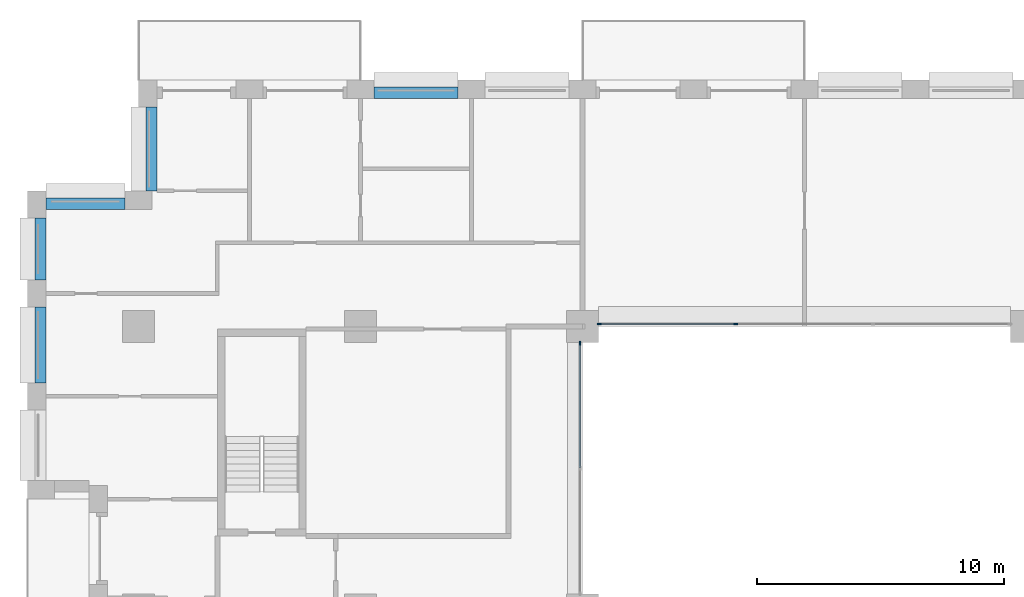
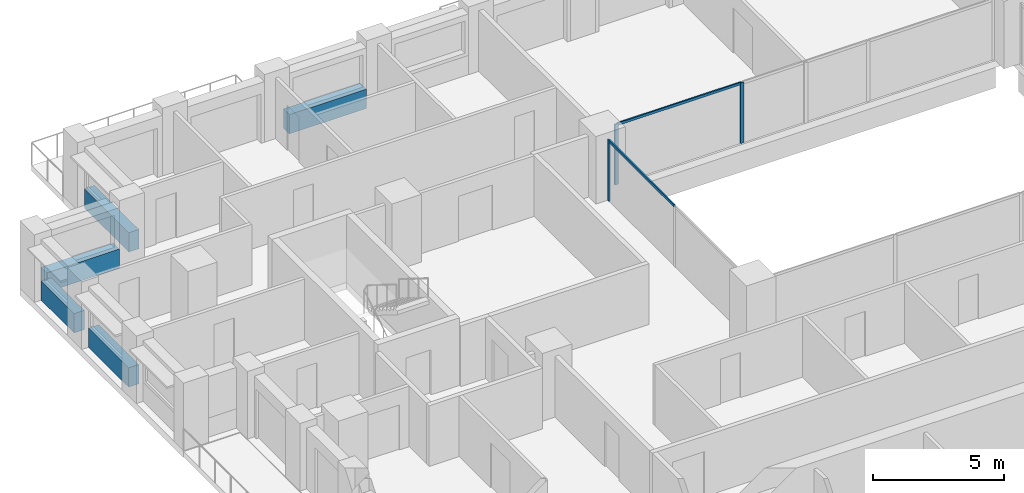
# One storey, part 5 of 16: 5 beams, 5 members, 2 elements without a shape of their own.
"""IFC4 building model written with IfcOpenShell, lengths in metres."""

from ifc_helpers import new_model, si_unit, direction, frame, origin, origin_2d, place, context, subcontext, project, spatial, rectangle, extrude, material, layer, layer_set, material_profile, profile_set, type_object, element, aggregate, save


model = new_model("IFC4")

# Units and contexts
model_context = context("Model", 3, precision=1e-05, world=origin(), true_north=direction((0.0, 1.0)))
body_context = subcontext(model_context, "Body", "Model", "MODEL_VIEW")
ifc_project = project(units=[si_unit("LENGTHUNIT", "METRE"), si_unit("AREAUNIT", "SQUARE_METRE"), si_unit("VOLUMEUNIT", "CUBIC_METRE"), si_unit("PLANEANGLEUNIT", "RADIAN"), si_unit("MASSUNIT", "GRAM", prefix="KILO")], contexts=[model_context])

# Site, building, storey
site_placement = place(None, origin())
site = spatial("IfcSite", under=ifc_project, at=site_placement, CompositionType="ELEMENT")
building_placement = place(site_placement, origin())
building = spatial("IfcBuilding", under=site, at=building_placement, Name="Brigalow Station Residences", CompositionType="ELEMENT")
storey_placement = place(building_placement, frame((0.0, 0.0, 86.699951171875)))
storey = spatial("IfcBuildingStorey", under=building, at=storey_placement, Name="L24", CompositionType="ELEMENT", Elevation=86.699951171875)

# Curtain wall, members
ifc_material_1 = material(Name="Aluminium", Category="aluminium")
ifc_layer = layer(ifc_material_1, 0.14990234375)
ifc_layer_set = layer_set([ifc_layer], Name="ATRIUM FIRE-RATED GLAZING CURTAIN WALL")
curtain_wall_type = type_object("IfcCurtainWallType", Name="ATRIUM FIRE-RATED GLAZING CURTAIN WALL", PredefinedType="NOTDEFINED", material=ifc_layer_set)
curtain_wall_1_placement = place(storey_placement, origin())
curtain_wall_1 = element("IfcCurtainWall", 1, at=curtain_wall_1_placement, inside=storey, type_object=curtain_wall_type, Name="L24/cw/atrium-N", PredefinedType="NOTDEFINED")
ifc_material_2 = material(Name="Aluminium", Category="aluminium")
ifc_material_profile_1 = material_profile(ifc_material_2, rectangle(XDim=0.06005859375, YDim=0.14990234375, at=origin_2d()), Name="ATRIUM FIRE-RATED GLAZING MULLION 60x150")
ifc_profile_set_1 = profile_set([ifc_material_profile_1], Name="Aluminium")
member_type_1 = type_object("IfcMemberType", Name="ATRIUM FIRE-RATED GLAZING MULLION 60x150", PredefinedType="MULLION", material=ifc_profile_set_1)
member_1_placement = place(storey_placement, frame((33.216796875, 35.60009765625, 0.0), z_axis=(0.0, 0.0, 1.0), x_axis=(0.0, -1.0, 0.0)))
member_1 = element("IfcMember", 2, at=member_1_placement, type_object=member_type_1, Name="L24/cw/atrium-N/M02", PredefinedType="MULLION", context=body_context, shape_type="SweptSolid", body=[
    extrude(rectangle(XDim=0.06005859375, YDim=0.14990234375, at=origin_2d()), origin(), (0.0, 0.0, 1.0), 2.830078125),
])
member_2_placement = place(storey_placement, frame((27.679931640625, 35.60009765625, 0.0), z_axis=(0.0, 0.0, 1.0), x_axis=(0.0, -1.0, 0.0)))
member_2 = element("IfcMember", 3, at=member_2_placement, type_object=member_type_1, Name="L24/cw/atrium-N/M03", PredefinedType="MULLION", context=body_context, shape_type="SweptSolid", body=[
    extrude(rectangle(XDim=0.06005859375, YDim=0.14990234375, at=origin_2d()), origin(), (0.0, 0.0, 1.0), 2.830078125),
])

# Curtain wall, member
curtain_wall_2_placement = place(storey_placement, origin())
curtain_wall_2 = element("IfcCurtainWall", 4, at=curtain_wall_2_placement, inside=storey, type_object=curtain_wall_type, Name="L24/cw/atrium-W", PredefinedType="NOTDEFINED")
member_3_placement = place(storey_placement, frame((26.89990234375, 34.820068359375, 0.0), z_axis=(0.0, 0.0, 1.0), x_axis=(1.0, 0.0, 0.0)))
member_3 = element("IfcMember", 5, at=member_3_placement, type_object=member_type_1, Name="L24/cw/atrium-W/M00", PredefinedType="MULLION", context=body_context, shape_type="SweptSolid", body=[
    extrude(rectangle(XDim=0.06005859375, YDim=0.14990234375, at=origin_2d()), origin(), (0.0, 0.0, 1.0), 2.830078125),
])

# Member
ifc_material_3 = material(Name="Aluminium", Category="aluminium")
ifc_material_profile_2 = material_profile(ifc_material_3, rectangle(XDim=0.06005859375, YDim=0.1201171875, at=origin_2d()), Name="ATRIUM FIRE-RATED GLAZING TRANSOM 60x120")
ifc_profile_set_2 = profile_set([ifc_material_profile_2], Name="Aluminium")
member_type_2 = type_object("IfcMemberType", Name="ATRIUM FIRE-RATED GLAZING TRANSOM 60x120", PredefinedType="USERDEFINED", material=ifc_profile_set_2)
member_4_placement = place(storey_placement, frame((33.186767578125, 35.60009765625, 2.800048828125), z_axis=(-1.0, 0.0, 0.0), x_axis=(0.0, -1.0, 0.0)))
member_4 = element("IfcMember", 6, at=member_4_placement, type_object=member_type_2, Name="L24/cw/atrium-N/T02-00", ObjectType="TRANSOM", PredefinedType="USERDEFINED", context=body_context, shape_type="SweptSolid", body=[
    extrude(rectangle(XDim=0.06005859375, YDim=0.1201171875, at=origin_2d()), origin(), (0.0, 0.0, 1.0), 5.476806640625),
])

aggregate(curtain_wall_1, [member_1, member_2, member_4])

member_5_placement = place(storey_placement, frame((26.89990234375, 34.7900390625, 2.800048828125), z_axis=(0.0, -1.0, 0.0), x_axis=(1.0, 0.0, 0.0)))
member_5 = element("IfcMember", 7, at=member_5_placement, type_object=member_type_2, Name="L24/cw/atrium-W/T00-00", ObjectType="TRANSOM", PredefinedType="USERDEFINED", context=body_context, shape_type="SweptSolid", body=[
    extrude(rectangle(XDim=0.06005859375, YDim=0.1201171875, at=origin_2d()), origin(), (0.0, 0.0, 1.0), 5.010009765625),
])

aggregate(curtain_wall_2, [member_3, member_5])

# Beams
ifc_material_4 = material(Name="Concrete C65", Category="concrete")
ifc_material_profile_3 = material_profile(ifc_material_4, rectangle(XDim=0.449951171875, YDim=0.89990234375, at=origin_2d()), Name="RC450x900")
ifc_profile_set_3 = profile_set([ifc_material_profile_3], Name="Concrete C65")
beam_type = type_object("IfcBeamType", Name="SPANDREL BEAM 450x900 C65", PredefinedType="SPANDREL", material=ifc_profile_set_3)
for number, where, z_axis, x_axis, name in (
    (8, (21.949951171875, 44.97509765625, 0.449951171875), (-1.0, 0.0, 0.0), (0.0, -1.0, 0.0), "L24/spandrel/W-L24-34"),
    (9, (9.52490234375, 44.39990234375, 0.449951171875), (0.0, -1.0, 0.0), (1.0, 0.0, 0.0), "L24/spandrel/W-L24-37"),
):
    element("IfcBeam", number, at=place(storey_placement, frame(where, z_axis=z_axis, x_axis=x_axis)), inside=storey, type_object=beam_type, Name=name, PredefinedType="SPANDREL", context=body_context, shape_type="SweptSolid", body=[
        extrude(rectangle(XDim=0.449951171875, YDim=0.89990234375, at=origin_2d()), origin(), (0.0, 0.0, 1.0), 3.39990234375),
    ])
beam_1_placement = place(storey_placement, frame((8.449951171875, 40.47509765625, 0.449951171875), z_axis=(-1.0, 0.0, 0.0), x_axis=(0.0, -1.0, 0.0)))
element("IfcBeam", 10, at=beam_1_placement, inside=storey, type_object=beam_type, Name="L24/spandrel/W-L24-38", PredefinedType="SPANDREL", context=body_context, shape_type="SweptSolid", body=[
    extrude(rectangle(XDim=0.449951171875, YDim=0.89990234375, at=origin_2d()), origin(), (0.0, 0.0, 1.0), 3.199951171875),
])
beam_2_placement = place(storey_placement, frame((5.02490234375, 39.89990234375, 0.449951171875), z_axis=(0.0, -1.0, 0.0), x_axis=(1.0, 0.0, 0.0)))
element("IfcBeam", 11, at=beam_2_placement, inside=storey, type_object=beam_type, Name="L24/spandrel/W-L24-39", PredefinedType="SPANDREL", context=body_context, shape_type="SweptSolid", body=[
    extrude(rectangle(XDim=0.449951171875, YDim=0.89990234375, at=origin_2d()), origin(), (0.0, 0.0, 1.0), 2.516845703125),
])
beam_3_placement = place(storey_placement, frame((5.02490234375, 36.282958984375, 0.449951171875), z_axis=(0.0, -1.0, 0.0), x_axis=(1.0, 0.0, 0.0)))
element("IfcBeam", 12, at=beam_3_placement, inside=storey, type_object=beam_type, Name="L24/spandrel/W-L24-40", PredefinedType="SPANDREL", context=body_context, shape_type="SweptSolid", body=[
    extrude(rectangle(XDim=0.449951171875, YDim=0.89990234375, at=origin_2d()), origin(), (0.0, 0.0, 1.0), 3.06591796875),
])

save(model, "model.ifc")
